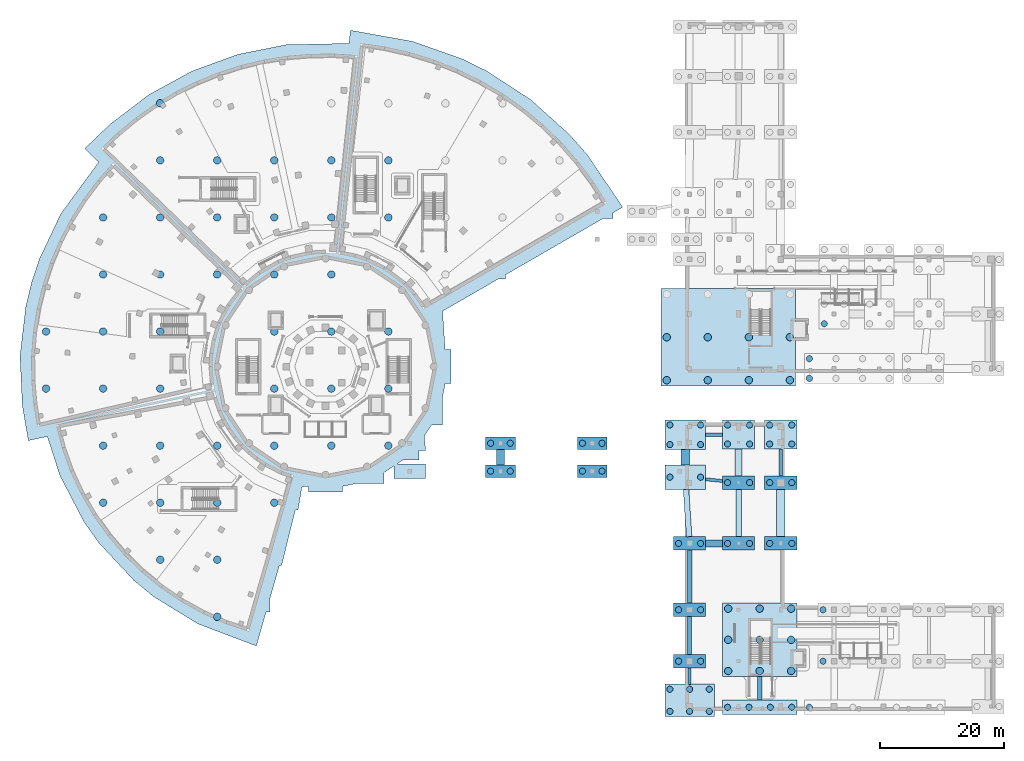
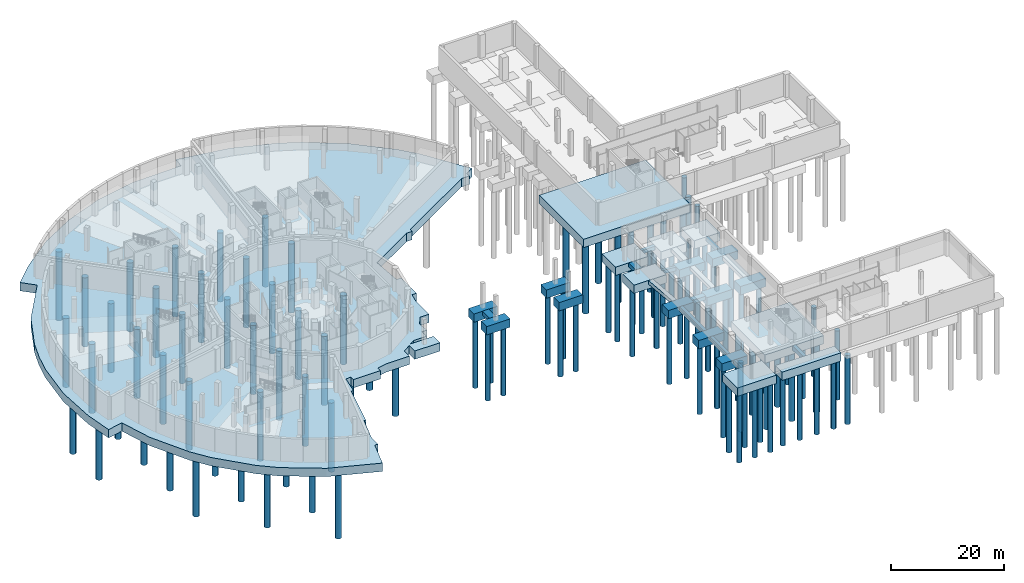
# One storey, part 1 of 33: 111 piles, 34 footings.
"""IFC4 building model written with IfcOpenShell, lengths in metres."""

from ifc_helpers import new_model, si_unit, direction, frame, origin, origin_2d, place, context, subcontext, project, spatial, polyline, rectangle, circle, outline, extrude, material, material_profile, profile_set, type_object, element, save


model = new_model("IFC4")

# Units and contexts
model_context = context("Model", 3, precision=1e-05, world=origin(), true_north=direction((0.0, 1.0)))
body_context = subcontext(model_context, "Body", "Model", "MODEL_VIEW")
ifc_project = project(units=[si_unit("LENGTHUNIT", "METRE"), si_unit("AREAUNIT", "SQUARE_METRE"), si_unit("VOLUMEUNIT", "CUBIC_METRE"), si_unit("PLANEANGLEUNIT", "RADIAN"), si_unit("MASSUNIT", "GRAM", prefix="KILO")], contexts=[model_context])

# Site, building, storey
site_placement = place(None, origin())
site = spatial("IfcSite", under=ifc_project, at=site_placement, CompositionType="ELEMENT")
building_placement = place(site_placement, origin())
building = spatial("IfcBuilding", under=site, at=building_placement, Name="Soyqirgoq Riverine Aquarium", CompositionType="ELEMENT")
storey_placement = place(building_placement, frame((0.0, 0.0, -5.39990234375)))
storey = spatial("IfcBuildingStorey", under=building, at=storey_placement, Name="B01", CompositionType="ELEMENT", Elevation=-5.39990234375)

# Piles
ifc_material_1 = material(Name="Concrete C35/45", Category="concrete")
ifc_material_profile_1 = material_profile(ifc_material_1, circle(Radius=0.5, at=origin_2d()), Name="BP D1000")
ifc_profile_set_1 = profile_set([ifc_material_profile_1], Name="Concrete C35/45")
pile_type_1 = type_object("IfcPileType", Name="BoredPile_1000_C35", PredefinedType="BORED", material=ifc_profile_set_1)
for number, where, z_axis, x_axis, name in (
    (1, (111.52001953125, 1.419921875, -1.7001953125), (0.0, 0.0, -1.0), (1.0, 0.0, 0.0), "Bored Pile 0056"),
    (2, (111.52001953125, 4.97998046875, -1.7001953125), (0.0, 0.0, -1.0), (1.0, 0.0, 0.0), "Bored Pile 0057"),
    (3, (114.699951171875, 1.419921875, -1.7001953125), (0.0, 0.0, -1.0), (1.0, 0.0, 0.0), "Bored Pile 0058"),
    (4, (114.699951171875, 4.97998046875, -1.7001953125), (0.0, 0.0, -1.0), (1.0, 0.0, 0.0), "Bored Pile 0059"),
    (5, (117.8798828125, 1.419921875, -1.7001953125), (0.0, 0.0, -1.0), (1.0, 0.0, 0.0), "Bored Pile 0060"),
    (6, (117.8798828125, 4.97998046875, -1.7001953125), (0.0, 0.0, -1.0), (1.0, 0.0, 0.0), "Bored Pile 0061"),
    (7, (112.919921875, 9.5, -1.7001953125), (0.0, 0.0, -1.0), (1.0, 0.0, 0.0), "Bored Pile 0062"),
    (8, (116.47998046875, 9.5, -1.7001953125), (0.0, 0.0, -1.0), (1.0, 0.0, 0.0), "Bored Pile 0063"),
    (9, (112.919921875, 17.800048828125, -1.7001953125), (0.0, 0.0, -1.0), (1.0, 0.0, 0.0), "Bored Pile 0064"),
    (10, (116.47998046875, 17.800048828125, -1.7001953125), (0.0, 0.0, -1.0), (1.0, 0.0, 0.0), "Bored Pile 0065"),
    (11, (112.919921875, 28.5, -1.7001953125), (0.0, 0.0, -1.0), (1.0, 0.0, 0.0), "Bored Pile 0066"),
    (12, (116.47998046875, 28.5, -1.7001953125), (0.0, 0.0, -1.0), (1.0, 0.0, 0.0), "Bored Pile 0067"),
    (13, (111.52001953125, 39.175048828125, -1.7001953125), (0.0, 0.0, -1.0), (1.0, 0.0, 0.0), "Bored Pile 0068"),
    (14, (116.47998046875, 39.175048828125, -1.7001953125), (0.0, 0.0, -1.0), (1.0, 0.0, 0.0), "Bored Pile 0069"),
    (15, (111.52001953125, 44.445068359375, -1.7001953125), (0.0, 0.0, -1.0), (1.0, 0.0, 0.0), "Bored Pile 0070"),
    (16, (111.52001953125, 47.60498046875, -1.7001953125), (0.0, 0.0, -1.0), (1.0, 0.0, 0.0), "Bored Pile 0071"),
    (17, (116.47998046875, 44.445068359375, -1.7001953125), (0.0, 0.0, -1.0), (1.0, 0.0, 0.0), "Bored Pile 0072"),
    (18, (116.47998046875, 47.60498046875, -1.7001953125), (0.0, 0.0, -1.0), (1.0, 0.0, 0.0), "Bored Pile 0073"),
    (19, (120.820068359375, 2.074951171875, -1.7001953125), (0.0, 0.0, -1.0), (1.0, 0.0, 0.0), "Bored Pile 0074"),
    (20, (124.273193359375, 2.074951171875, -1.7001953125), (0.0, 0.0, -1.0), (1.0, 0.0, 0.0), "Bored Pile 0075"),
    (21, (127.726806640625, 2.074951171875, -1.7001953125), (0.0, 0.0, -1.0), (1.0, 0.0, 0.0), "Bored Pile 0076"),
    (22, (131.179931640625, 2.074951171875, -1.7001953125), (0.0, 0.0, -1.0), (1.0, 0.0, 0.0), "Bored Pile 0077"),
    (23, (120.820068359375, 28.5, -1.7001953125), (0.0, 0.0, -1.0), (1.0, 0.0, 0.0), "Bored Pile 0087"),
    (24, (124.3798828125, 28.5, -1.7001953125), (0.0, 0.0, -1.0), (1.0, 0.0, 0.0), "Bored Pile 0088"),
    (25, (120.820068359375, 38.300048828125, -1.7001953125), (0.0, 0.0, -1.0), (1.0, 0.0, 0.0), "Bored Pile 0089"),
    (26, (124.3798828125, 38.300048828125, -1.7001953125), (0.0, 0.0, -1.0), (1.0, 0.0, 0.0), "Bored Pile 0090"),
    (27, (120.820068359375, 44.52001953125, -1.7001953125), (0.0, 0.0, -1.0), (1.0, 0.0, 0.0), "Bored Pile 0091"),
    (28, (120.820068359375, 47.580078125, -1.7001953125), (0.0, 0.0, -1.0), (1.0, 0.0, 0.0), "Bored Pile 0092"),
    (29, (124.3798828125, 44.52001953125, -1.7001953125), (0.0, 0.0, -1.0), (1.0, 0.0, 0.0), "Bored Pile 0093"),
    (30, (124.3798828125, 47.580078125, -1.7001953125), (0.0, 0.0, -1.0), (1.0, 0.0, 0.0), "Bored Pile 0094"),
    (31, (127.6201171875, 28.5, -1.7001953125), (0.0, 0.0, -1.0), (1.0, 0.0, 0.0), "Bored Pile 0095"),
    (32, (131.179931640625, 28.5, -1.7001953125), (0.0, 0.0, -1.0), (1.0, 0.0, 0.0), "Bored Pile 0096"),
    (33, (127.6201171875, 38.300048828125, -1.7001953125), (0.0, 0.0, -1.0), (1.0, 0.0, 0.0), "Bored Pile 0097"),
    (34, (131.179931640625, 38.300048828125, -1.7001953125), (0.0, 0.0, -1.0), (1.0, 0.0, 0.0), "Bored Pile 0098"),
    (35, (127.6201171875, 44.52001953125, -1.7001953125), (0.0, 0.0, -1.0), (1.0, 0.0, 0.0), "Bored Pile 0099"),
    (36, (127.6201171875, 47.580078125, -1.7001953125), (0.0, 0.0, -1.0), (1.0, 0.0, 0.0), "Bored Pile 0100"),
    (37, (131.179931640625, 44.52001953125, -1.7001953125), (0.0, 0.0, -1.0), (1.0, 0.0, 0.0), "Bored Pile 0101"),
    (38, (131.179931640625, 47.580078125, -1.7001953125), (0.0, 0.0, -1.0), (1.0, 0.0, 0.0), "Bored Pile 0102"),
    (39, (134.02001953125, 2.074951171875, -1.7001953125), (0.0, 0.0, -1.0), (1.0, 0.0, 0.0), "Bored Pile 0103"),
    (40, (136.219970703125, 9.5, -1.7001953125), (0.0, 0.0, -1.0), (1.0, 0.0, 0.0), "Bored Pile 0107"),
    (41, (136.219970703125, 17.800048828125, -1.7001953125), (0.0, 0.0, -1.0), (1.0, 0.0, 0.0), "Bored Pile 0109"),
    (42, (134.02001953125, 55.1201171875, -1.7001953125), (0.0, 0.0, -1.0), (1.0, 0.0, 0.0), "Bored Pile 0177"),
    (43, (134.02001953125, 58.280029296875, -1.7001953125), (0.0, 0.0, -1.0), (1.0, 0.0, 0.0), "Bored Pile 0178"),
    (44, (136.419921875, 63.919921875, -1.7001953125), (0.0, 0.0, -1.0), (1.0, 0.0, 0.0), "Bored Pile 0185"),
    (45, (82.6201171875, 40.14990234375, -1.7001953125), (0.0, 0.0, -1.0), (1.0, 0.0, 0.0), "Bored Pile 0219"),
    (46, (85.780029296875, 40.14990234375, -1.7001953125), (0.0, 0.0, -1.0), (1.0, 0.0, 0.0), "Bored Pile 0220"),
    (47, (82.6201171875, 44.64990234375, -1.7001953125), (0.0, 0.0, -1.0), (1.0, 0.0, 0.0), "Bored Pile 0221"),
    (48, (85.780029296875, 44.64990234375, -1.7001953125), (0.0, 0.0, -1.0), (1.0, 0.0, 0.0), "Bored Pile 0222"),
    (49, (97.419921875, 40.14990234375, -1.7001953125), (0.0, 0.0, -1.0), (1.0, 0.0, 0.0), "Bored Pile 0223"),
    (50, (100.580078125, 40.14990234375, -1.7001953125), (0.0, 0.0, -1.0), (1.0, 0.0, 0.0), "Bored Pile 0224"),
    (51, (97.419921875, 44.64990234375, -1.7001953125), (0.0, 0.0, -1.0), (1.0, 0.0, 0.0), "Bored Pile 0225"),
    (52, (100.580078125, 44.64990234375, -1.7001953125), (0.0, 0.0, -1.0), (1.0, 0.0, 0.0), "Bored Pile 0226"),
):
    element("IfcPile", number, at=place(storey_placement, frame(where, z_axis=z_axis, x_axis=x_axis)), inside=storey, type_object=pile_type_1, Name=name, PredefinedType="BORED", context=body_context, shape_type="SweptSolid", body=[
        extrude(circle(Radius=0.5, at=origin_2d()), origin(), (0.0, 0.0, 1.0), 14.89990234375),
    ])
ifc_material_2 = material(Name="Concrete C35/45", Category="concrete")
ifc_material_profile_2 = material_profile(ifc_material_2, circle(Radius=0.60009765625, at=origin_2d()), Name="BP D1200")
ifc_profile_set_2 = profile_set([ifc_material_profile_2], Name="Concrete C35/45")
pile_type_2 = type_object("IfcPileType", Name="BoredPile_1200_C35", PredefinedType="BORED", material=ifc_profile_set_2)
for number, where, z_axis, x_axis, name in (
    (53, (10.928955078125, 53.458984375, -1.7001953125), (0.0, 0.0, -1.0), (1.0, 0.0, 0.0), "Bored Pile 0001"),
    (54, (10.928955078125, 62.658935546875, -1.7001953125), (0.0, 0.0, -1.0), (1.0, 0.0, 0.0), "Bored Pile 0002"),
    (55, (20.12890625, 35.05908203125, -1.7001953125), (0.0, 0.0, -1.0), (1.0, 0.0, 0.0), "Bored Pile 0003"),
    (56, (20.12890625, 44.259033203125, -1.7001953125), (0.0, 0.0, -1.0), (1.0, 0.0, 0.0), "Bored Pile 0004"),
    (57, (20.12890625, 53.458984375, -1.7001953125), (0.0, 0.0, -1.0), (1.0, 0.0, 0.0), "Bored Pile 0005"),
    (58, (20.12890625, 62.658935546875, -1.7001953125), (0.0, 0.0, -1.0), (1.0, 0.0, 0.0), "Bored Pile 0006"),
    (59, (20.12890625, 71.85888671875, -1.7001953125), (0.0, 0.0, -1.0), (1.0, 0.0, 0.0), "Bored Pile 0007"),
    (60, (20.12890625, 81.05908203125, -1.7001953125), (0.0, 0.0, -1.0), (1.0, 0.0, 0.0), "Bored Pile 0008"),
    (61, (29.328857421875, 25.85888671875, -1.7001953125), (0.0, 0.0, -1.0), (1.0, 0.0, 0.0), "Bored Pile 0009"),
    (62, (29.328857421875, 35.05908203125, -1.7001953125), (0.0, 0.0, -1.0), (1.0, 0.0, 0.0), "Bored Pile 0010"),
    (63, (29.328857421875, 44.259033203125, -1.7001953125), (0.0, 0.0, -1.0), (1.0, 0.0, 0.0), "Bored Pile 0011"),
    (64, (29.328857421875, 53.458984375, -1.7001953125), (0.0, 0.0, -1.0), (1.0, 0.0, 0.0), "Bored Pile 0012"),
    (65, (29.328857421875, 62.658935546875, -1.7001953125), (0.0, 0.0, -1.0), (1.0, 0.0, 0.0), "Bored Pile 0013"),
    (66, (29.328857421875, 71.85888671875, -1.7001953125), (0.0, 0.0, -1.0), (1.0, 0.0, 0.0), "Bored Pile 0014"),
    (67, (29.328857421875, 81.05908203125, -1.7001953125), (0.0, 0.0, -1.0), (1.0, 0.0, 0.0), "Bored Pile 0015"),
    (68, (29.328857421875, 90.259033203125, -1.7001953125), (0.0, 0.0, -1.0), (1.0, 0.0, 0.0), "Bored Pile 0016"),
    (69, (29.328857421875, 99.458984375, -1.7001953125), (0.0, 0.0, -1.0), (1.0, 0.0, 0.0), "Bored Pile 0017"),
    (70, (38.52880859375, 16.658935546875, -1.7001953125), (0.0, 0.0, -1.0), (1.0, 0.0, 0.0), "Bored Pile 0018"),
    (71, (38.52880859375, 25.85888671875, -1.7001953125), (0.0, 0.0, -1.0), (1.0, 0.0, 0.0), "Bored Pile 0019"),
    (72, (38.52880859375, 35.05908203125, -1.7001953125), (0.0, 0.0, -1.0), (1.0, 0.0, 0.0), "Bored Pile 0020"),
    (73, (38.52880859375, 44.259033203125, -1.7001953125), (0.0, 0.0, -1.0), (1.0, 0.0, 0.0), "Bored Pile 0021"),
    (74, (38.52880859375, 71.85888671875, -1.7001953125), (0.0, 0.0, -1.0), (1.0, 0.0, 0.0), "Bored Pile 0022"),
    (75, (38.52880859375, 81.05908203125, -1.7001953125), (0.0, 0.0, -1.0), (1.0, 0.0, 0.0), "Bored Pile 0023"),
    (76, (38.52880859375, 90.259033203125, -1.7001953125), (0.0, 0.0, -1.0), (1.0, 0.0, 0.0), "Bored Pile 0024"),
    (77, (47.72900390625, 35.05908203125, -1.7001953125), (0.0, 0.0, -1.0), (1.0, 0.0, 0.0), "Bored Pile 0026"),
    (78, (47.72900390625, 44.259033203125, -1.7001953125), (0.0, 0.0, -1.0), (1.0, 0.0, 0.0), "Bored Pile 0027"),
    (79, (47.72900390625, 53.458984375, -1.7001953125), (0.0, 0.0, -1.0), (1.0, 0.0, 0.0), "Bored Pile 0028"),
    (80, (47.72900390625, 62.658935546875, -1.7001953125), (0.0, 0.0, -1.0), (1.0, 0.0, 0.0), "Bored Pile 0029"),
    (81, (47.72900390625, 71.85888671875, -1.7001953125), (0.0, 0.0, -1.0), (1.0, 0.0, 0.0), "Bored Pile 0030"),
    (82, (47.72900390625, 81.05908203125, -1.7001953125), (0.0, 0.0, -1.0), (1.0, 0.0, 0.0), "Bored Pile 0031"),
    (83, (47.72900390625, 90.259033203125, -1.7001953125), (0.0, 0.0, -1.0), (1.0, 0.0, 0.0), "Bored Pile 0032"),
    (84, (56.928955078125, 44.259033203125, -1.7001953125), (0.0, 0.0, -1.0), (1.0, 0.0, 0.0), "Bored Pile 0034"),
    (85, (56.928955078125, 53.458984375, -1.7001953125), (0.0, 0.0, -1.0), (1.0, 0.0, 0.0), "Bored Pile 0035"),
    (86, (56.928955078125, 62.658935546875, -1.7001953125), (0.0, 0.0, -1.0), (1.0, 0.0, 0.0), "Bored Pile 0036"),
    (87, (56.928955078125, 71.85888671875, -1.7001953125), (0.0, 0.0, -1.0), (1.0, 0.0, 0.0), "Bored Pile 0037"),
    (88, (56.928955078125, 81.05908203125, -1.7001953125), (0.0, 0.0, -1.0), (1.0, 0.0, 0.0), "Bored Pile 0038"),
    (89, (56.928955078125, 90.259033203125, -1.7001953125), (0.0, 0.0, -1.0), (1.0, 0.0, 0.0), "Bored Pile 0039"),
    (90, (66.12890625, 44.259033203125, -1.7001953125), (0.0, 0.0, -1.0), (1.0, 0.0, 0.0), "Bored Pile 0041"),
    (91, (66.12890625, 53.458984375, -1.7001953125), (0.0, 0.0, -1.0), (1.0, 0.0, 0.0), "Bored Pile 0042"),
    (92, (66.12890625, 62.658935546875, -1.7001953125), (0.0, 0.0, -1.0), (1.0, 0.0, 0.0), "Bored Pile 0043"),
    (93, (66.12890625, 81.05908203125, -1.7001953125), (0.0, 0.0, -1.0), (1.0, 0.0, 0.0), "Bored Pile 0044"),
    (94, (66.12890625, 90.259033203125, -1.7001953125), (0.0, 0.0, -1.0), (1.0, 0.0, 0.0), "Bored Pile 0045"),
    (95, (120.919921875, 7.919921875, -1.7001953125), (0.0, 0.0, -1.0), (1.0, 0.0, 0.0), "Bored Pile 0078"),
    (96, (120.919921875, 12.949951171875, -1.7001953125), (0.0, 0.0, -1.0), (1.0, 0.0, 0.0), "Bored Pile 0079"),
    (97, (120.919921875, 17.97998046875, -1.7001953125), (0.0, 0.0, -1.0), (1.0, 0.0, 0.0), "Bored Pile 0080"),
    (98, (126.0, 7.919921875, -1.7001953125), (0.0, 0.0, -1.0), (1.0, 0.0, 0.0), "Bored Pile 0081"),
    (99, (126.0, 12.949951171875, -1.7001953125), (0.0, 0.0, -1.0), (1.0, 0.0, 0.0), "Bored Pile 0082"),
    (100, (126.0, 17.97998046875, -1.7001953125), (0.0, 0.0, -1.0), (1.0, 0.0, 0.0), "Bored Pile 0083"),
    (101, (131.080078125, 7.919921875, -1.7001953125), (0.0, 0.0, -1.0), (1.0, 0.0, 0.0), "Bored Pile 0084"),
    (102, (131.080078125, 12.949951171875, -1.7001953125), (0.0, 0.0, -1.0), (1.0, 0.0, 0.0), "Bored Pile 0085"),
    (103, (131.080078125, 17.97998046875, -1.7001953125), (0.0, 0.0, -1.0), (1.0, 0.0, 0.0), "Bored Pile 0086"),
    (104, (111.02001953125, 54.820068359375, -1.7001953125), (0.0, 0.0, -1.0), (1.0, 0.0, 0.0), "Bored Pile 0125"),
    (105, (111.02001953125, 61.75, -1.7001953125), (0.0, 0.0, -1.0), (1.0, 0.0, 0.0), "Bored Pile 0126"),
    (106, (117.639892578125, 54.820068359375, -1.7001953125), (0.0, 0.0, -1.0), (1.0, 0.0, 0.0), "Bored Pile 0128"),
    (107, (117.639892578125, 61.75, -1.7001953125), (0.0, 0.0, -1.0), (1.0, 0.0, 0.0), "Bored Pile 0129"),
    (108, (124.260009765625, 54.820068359375, -1.7001953125), (0.0, 0.0, -1.0), (1.0, 0.0, 0.0), "Bored Pile 0131"),
    (109, (124.260009765625, 61.75, -1.7001953125), (0.0, 0.0, -1.0), (1.0, 0.0, 0.0), "Bored Pile 0132"),
    (110, (130.8798828125, 54.820068359375, -1.7001953125), (0.0, 0.0, -1.0), (1.0, 0.0, 0.0), "Bored Pile 0134"),
    (111, (130.8798828125, 61.75, -1.7001953125), (0.0, 0.0, -1.0), (1.0, 0.0, 0.0), "Bored Pile 0135"),
):
    element("IfcPile", number, at=place(storey_placement, frame(where, z_axis=z_axis, x_axis=x_axis)), inside=storey, type_object=pile_type_2, Name=name, PredefinedType="BORED", context=body_context, shape_type="SweptSolid", body=[
        extrude(circle(Radius=0.60009765625, at=origin_2d()), origin(), (0.0, 0.0, 1.0), 14.89990234375),
    ])

# Footings
ifc_material_3 = material(Name="Concrete C35/45", Category="concrete")
ifc_material_profile_3 = material_profile(ifc_material_3, rectangle(XDim=0.5, YDim=0.800048828125, at=origin_2d()), Name="RC 500x800")
ifc_profile_set_3 = profile_set([ifc_material_profile_3], Name="Concrete C35/45")
footing_type_1 = type_object("IfcFootingType", Name="GroundBeam_500x800", PredefinedType="FOOTING_BEAM", material=ifc_profile_set_3)
footing_1_placement = place(storey_placement, frame((114.699951171875, 5.780029296875, -0.400146484375), z_axis=(0.0, 1.0, 0.0), x_axis=(-1.0, 0.0, 0.0)))
element("IfcFooting", 112, at=footing_1_placement, inside=storey, type_object=footing_type_1, Name="Foundation Tie Beam 001", PredefinedType="FOOTING_BEAM", context=body_context, shape_type="SweptSolid", body=[
    extrude(rectangle(XDim=0.5, YDim=0.800048828125, at=origin_2d()), origin(), (0.0, 0.0, 1.0), 2.639892578125),
])
footing_2_placement = place(storey_placement, frame((117.280029296875, 38.84130859375, -0.400146484375), z_axis=(0.99486278638, -0.101232585053, 0.0), x_axis=(0.101232585053, 0.99486278638, 0.0)))
element("IfcFooting", 113, at=footing_2_placement, inside=storey, type_object=footing_type_1, Name="Foundation Tie Beam 007", PredefinedType="FOOTING_BEAM", context=body_context, shape_type="SweptSolid", body=[
    extrude(rectangle(XDim=0.5, YDim=0.800048828125, at=origin_2d()), origin(), (0.0, 0.0, 1.0), 2.754150390625),
])
footing_3_placement = place(storey_placement, frame((129.39990234375, 39.3798828125, -0.400146484375), z_axis=(0.0, 1.0, 0.0), x_axis=(-1.0, 0.0, 0.0)))
element("IfcFooting", 114, at=footing_3_placement, inside=storey, type_object=footing_type_1, Name="Foundation Tie Beam 013", PredefinedType="FOOTING_BEAM", context=body_context, shape_type="SweptSolid", body=[
    extrude(rectangle(XDim=0.5, YDim=0.800048828125, at=origin_2d()), origin(), (0.0, 0.0, 1.0), 4.340087890625),
])
ifc_material_4 = material(Name="Concrete C35/45", Category="concrete")
ifc_material_profile_4 = material_profile(ifc_material_4, rectangle(XDim=0.60009765625, YDim=0.800048828125, at=origin_2d()), Name="RC 600x800")
ifc_profile_set_4 = profile_set([ifc_material_profile_4], Name="Concrete C35/45")
footing_type_2 = type_object("IfcFootingType", Name="GroundBeam_600x800", PredefinedType="FOOTING_BEAM", material=ifc_profile_set_4)
footing_4_placement = place(storey_placement, frame((114.699951171875, 10.580078125, -0.400146484375), z_axis=(0.0, 1.0, 0.0), x_axis=(-1.0, 0.0, 0.0)))
element("IfcFooting", 115, at=footing_4_placement, inside=storey, type_object=footing_type_2, Name="Foundation Tie Beam 002", PredefinedType="FOOTING_BEAM", context=body_context, shape_type="SweptSolid", body=[
    extrude(rectangle(XDim=0.60009765625, YDim=0.800048828125, at=origin_2d()), origin(), (0.0, 0.0, 1.0), 6.139892578125),
])
footing_5_placement = place(storey_placement, frame((117.280029296875, 46.034423828125, -0.400146484375), z_axis=(0.999995677081, 0.002940377559, 0.0), x_axis=(-0.002940377559, 0.999995677081, 0.0)))
element("IfcFooting", 116, at=footing_5_placement, inside=storey, type_object=footing_type_2, Name="Foundation Tie Beam 008", PredefinedType="FOOTING_BEAM", context=body_context, shape_type="SweptSolid", body=[
    extrude(rectangle(XDim=0.60009765625, YDim=0.800048828125, at=origin_2d()), origin(), (0.0, 0.0, 1.0), 2.739990234375),
])
ifc_material_5 = material(Name="Concrete C35/45", Category="concrete")
ifc_material_profile_5 = material_profile(ifc_material_5, rectangle(XDim=0.699951171875, YDim=0.89990234375, at=origin_2d()), Name="RC 700x900")
ifc_profile_set_5 = profile_set([ifc_material_profile_5], Name="Concrete C35/45")
footing_type_3 = type_object("IfcFootingType", Name="GroundBeam_700x900", PredefinedType="FOOTING_BEAM", material=ifc_profile_set_5)
footing_6_placement = place(storey_placement, frame((114.699951171875, 18.8798828125, -0.4501953125), z_axis=(0.0, 1.0, 0.0), x_axis=(-1.0, 0.0, 0.0)))
element("IfcFooting", 117, at=footing_6_placement, inside=storey, type_object=footing_type_3, Name="Foundation Tie Beam 003", PredefinedType="FOOTING_BEAM", context=body_context, shape_type="SweptSolid", body=[
    extrude(rectangle(XDim=0.699951171875, YDim=0.89990234375, at=origin_2d()), origin(), (0.0, 0.0, 1.0), 8.5400390625),
])
footing_7_placement = place(storey_placement, frame((126.0, 3.2548828125, -0.4501953125), z_axis=(0.0, 1.0, 0.0), x_axis=(-1.0, 0.0, 0.0)))
element("IfcFooting", 118, at=footing_7_placement, inside=storey, type_object=footing_type_3, Name="Foundation Tie Beam 009", PredefinedType="FOOTING_BEAM", context=body_context, shape_type="SweptSolid", body=[
    extrude(rectangle(XDim=0.699951171875, YDim=0.89990234375, at=origin_2d()), origin(), (0.0, 0.0, 1.0), 3.76513671875),
])
ifc_material_6 = material(Name="Concrete C35/45", Category="concrete")
footing_type_4 = type_object("IfcFootingType", Name="PileCap_2P_4800x2000", PredefinedType="PILE_CAP", material=ifc_material_6)
for number, where, z_axis, x_axis, name in (
    (119, (84.199951171875, 40.14990234375, -1.80029296875), (0.0, 0.0, 1.0), (1.0, 0.0, 0.0), "Pile Cap 052"),
    (120, (84.199951171875, 44.64990234375, -1.80029296875), (0.0, 0.0, 1.0), (1.0, 0.0, 0.0), "Pile Cap 053"),
    (121, (99.0, 40.14990234375, -1.80029296875), (0.0, 0.0, 1.0), (1.0, 0.0, 0.0), "Pile Cap 054"),
    (122, (99.0, 44.64990234375, -1.80029296875), (0.0, 0.0, 1.0), (1.0, 0.0, 0.0), "Pile Cap 055"),
):
    element("IfcFooting", number, at=place(storey_placement, frame(where, z_axis=z_axis, x_axis=x_axis)), inside=storey, type_object=footing_type_4, Name=name, PredefinedType="PILE_CAP", context=body_context, shape_type="SweptSolid", body=[
        extrude(rectangle(XDim=4.800048828125, YDim=2.0, at=origin_2d()), origin(), (0.0, 0.0, 1.0), 1.800048828125),
    ])
ifc_material_7 = material(Name="Concrete C35/45", Category="concrete")
footing_type_5 = type_object("IfcFootingType", Name="PileCap_2P_5200x2200", PredefinedType="PILE_CAP", material=ifc_material_7)
for number, where, z_axis, x_axis, name in (
    (123, (114.699951171875, 9.5, -1.80029296875), (0.0, 0.0, 1.0), (1.0, 0.0, 0.0), "Pile Cap 002"),
    (124, (114.699951171875, 17.800048828125, -1.80029296875), (0.0, 0.0, 1.0), (1.0, 0.0, 0.0), "Pile Cap 003"),
    (125, (114.699951171875, 28.5, -1.80029296875), (0.0, 0.0, 1.0), (1.0, 0.0, 0.0), "Pile Cap 004"),
    (126, (122.60009765625, 28.5, -1.80029296875), (0.0, 0.0, 1.0), (1.0, 0.0, 0.0), "Pile Cap 009"),
    (127, (122.60009765625, 38.300048828125, -1.80029296875), (0.0, 0.0, 1.0), (1.0, 0.0, 0.0), "Pile Cap 010"),
    (128, (129.39990234375, 28.5, -1.80029296875), (0.0, 0.0, 1.0), (1.0, 0.0, 0.0), "Pile Cap 012"),
    (129, (129.39990234375, 38.300048828125, -1.80029296875), (0.0, 0.0, 1.0), (1.0, 0.0, 0.0), "Pile Cap 013"),
):
    element("IfcFooting", number, at=place(storey_placement, frame(where, z_axis=z_axis, x_axis=x_axis)), inside=storey, type_object=footing_type_5, Name=name, PredefinedType="PILE_CAP", context=body_context, shape_type="SweptSolid", body=[
        extrude(rectangle(XDim=5.199951171875, YDim=2.199951171875, at=origin_2d()), origin(), (0.0, 0.0, 1.0), 1.800048828125),
    ])
ifc_material_8 = material(Name="Concrete C35/45", Category="concrete")
footing_type_6 = type_object("IfcFootingType", Name="PileCap_6P_8000x5200", PredefinedType="PILE_CAP", material=ifc_material_8)
footing_8_placement = place(storey_placement, frame((114.699951171875, 3.199951171875, -1.80029296875), z_axis=(0.0, 0.0, 1.0), x_axis=(1.0, 0.0, 0.0)))
element("IfcFooting", 130, at=footing_8_placement, inside=storey, type_object=footing_type_6, Name="Pile Cap 001", PredefinedType="PILE_CAP", context=body_context, shape_type="SweptSolid", body=[
    extrude(rectangle(XDim=8.0, YDim=5.199951171875, at=origin_2d()), origin(), (0.0, 0.0, 1.0), 1.800048828125),
])
ifc_material_9 = material(Name="Concrete C35/45", Category="concrete")
footing_type_7 = type_object("IfcFootingType", Name="PileCap_Comb_12000x11900", PredefinedType="PILE_CAP", material=ifc_material_9)
footing_9_placement = place(storey_placement, frame((126.0, 12.949951171875, -1.80029296875), z_axis=(0.0, 0.0, 1.0), x_axis=(1.0, 0.0, 0.0)))
element("IfcFooting", 131, at=footing_9_placement, inside=storey, type_object=footing_type_7, Name="Pile Cap 008", PredefinedType="PILE_CAP", context=body_context, shape_type="SweptSolid", body=[
    extrude(rectangle(XDim=12.0, YDim=11.89990234375, at=origin_2d()), origin(), (0.0, 0.0, 1.0), 1.800048828125),
])
ifc_material_10 = material(Name="Concrete C35/45", Category="concrete")
footing_type_8 = type_object("IfcFootingType", Name="PileCap_Comb_12000x2400", PredefinedType="PILE_CAP", material=ifc_material_10)
footing_10_placement = place(storey_placement, frame((126.0, 2.074951171875, -1.80029296875), z_axis=(0.0, 0.0, 1.0), x_axis=(1.0, 0.0, 0.0)))
element("IfcFooting", 132, at=footing_10_placement, inside=storey, type_object=footing_type_8, Name="Pile Cap 007", PredefinedType="PILE_CAP", context=body_context, shape_type="SweptSolid", body=[
    extrude(rectangle(XDim=12.0, YDim=2.39990234375, at=origin_2d()), origin(), (0.0, 0.0, 1.0), 1.800048828125),
])
ifc_material_11 = material(Name="Concrete C35/45", Category="concrete")
footing_type_9 = type_object("IfcFootingType", Name="PileCap_Comb_21700x15700", PredefinedType="PILE_CAP", material=ifc_material_11)
footing_11_placement = place(storey_placement, frame((120.949951171875, 61.75, -1.80029296875), z_axis=(0.0, 0.0, 1.0), x_axis=(1.0, 0.0, 0.0)))
element("IfcFooting", 133, at=footing_11_placement, inside=storey, type_object=footing_type_9, Name="Pile Cap 025", PredefinedType="PILE_CAP", context=body_context, shape_type="SweptSolid", body=[
    extrude(rectangle(XDim=21.699951171875, YDim=15.699951171875, at=origin_2d()), origin(), (0.0, 0.0, 1.0), 1.800048828125),
])
ifc_material_12 = material(Name="Concrete C35/45", Category="concrete")
footing_type_10 = type_object("IfcFootingType", Name="PileCap_Comb_5200x4700", PredefinedType="PILE_CAP", material=ifc_material_12)
for number, where, z_axis, x_axis, name in (
    (134, (122.60009765625, 46.050048828125, -1.80029296875), (0.0, 0.0, 1.0), (1.0, 0.0, 0.0), "Pile Cap 011"),
    (135, (129.39990234375, 46.050048828125, -1.80029296875), (0.0, 0.0, 1.0), (1.0, 0.0, 0.0), "Pile Cap 014"),
):
    element("IfcFooting", number, at=place(storey_placement, frame(where, z_axis=z_axis, x_axis=x_axis)), inside=storey, type_object=footing_type_10, Name=name, PredefinedType="PILE_CAP", context=body_context, shape_type="SweptSolid", body=[
        extrude(rectangle(XDim=5.199951171875, YDim=4.699951171875, at=origin_2d()), origin(), (0.0, 0.0, 1.0), 1.800048828125),
    ])
ifc_material_13 = material(Name="Concrete C35/45", Category="concrete")
footing_type_11 = type_object("IfcFootingType", Name="PileCap_Comb_6600x4000", PredefinedType="PILE_CAP", material=ifc_material_13)
footing_12_placement = place(storey_placement, frame((114.0, 39.175048828125, -1.80029296875), z_axis=(0.0, 0.0, 1.0), x_axis=(1.0, 0.0, 0.0)))
element("IfcFooting", 136, at=footing_12_placement, inside=storey, type_object=footing_type_11, Name="Pile Cap 005", PredefinedType="PILE_CAP", context=body_context, shape_type="SweptSolid", body=[
    extrude(rectangle(XDim=6.60009765625, YDim=4.0, at=origin_2d()), origin(), (0.0, 0.0, 1.0), 1.800048828125),
])
ifc_material_14 = material(Name="Concrete C35/45", Category="concrete")
footing_type_12 = type_object("IfcFootingType", Name="PileCap_Comb_6600x4800", PredefinedType="PILE_CAP", material=ifc_material_14)
footing_13_placement = place(storey_placement, frame((114.0, 46.02490234375, -1.80029296875), z_axis=(0.0, 0.0, 1.0), x_axis=(1.0, 0.0, 0.0)))
element("IfcFooting", 137, at=footing_13_placement, inside=storey, type_object=footing_type_12, Name="Pile Cap 006", PredefinedType="PILE_CAP", context=body_context, shape_type="SweptSolid", body=[
    extrude(rectangle(XDim=6.60009765625, YDim=4.800048828125, at=origin_2d()), origin(), (0.0, 0.0, 1.0), 1.800048828125),
])
ifc_material_15 = material(Name="Concrete C35/45", Category="concrete")
footing_type_13 = type_object("IfcFootingType", Name="PileCap_Mat_West_1800", PredefinedType="PILE_CAP", material=ifc_material_15)
footing_14_placement = place(storey_placement, frame((0.0, 0.0, -1.800048828125)))
element("IfcFooting", 138, at=footing_14_placement, inside=storey, type_object=footing_type_13, Name="West Spiral Piled Mat Foundation", PredefinedType="PILE_CAP", context=body_context, shape_type="SweptSolid", body=[
    extrude(outline(polyline([(46.41259765625, 17.43359375), (47.078369140625, 17.43359375), (47.078369140625, 19.755126953125), (48.556640625, 24.910888671875), (48.9052734375, 24.910888671875), (51.120849609375, 33.85302734375), (51.55078125, 33.85302734375), (52.1982421875, 37.610595703125), (53.25, 37.7119140625), (53.25, 36.800048828125), (58.75, 36.800048828125), (58.75, 37.7119140625), (60.843994140625, 38.12841796875), (65.427734375, 38.12841796875), (65.427734375, 39.902099609375), (67.050048828125, 40.986083984375), (67.050048828125, 39.0), (72.14990234375, 39.0), (72.14990234375, 41.300048828125), (67.519775390625, 41.300048828125), (68.43408203125, 41.910888671875), (71.089111328125, 41.910888671875), (71.089111328125, 43.5), (72.14990234375, 43.5), (71.913818359375, 45.800048828125), (73.097900390625, 47.572265625), (74.87158203125, 47.572265625), (74.87158203125, 52.156005859375), (75.2880859375, 54.25), (76.199951171875, 54.25), (76.199951171875, 59.75), (75.2880859375, 59.75), (74.87158203125, 65.944091796875), (83.93310546875, 71.17578125), (85.05126953125, 71.17578125), (85.05126953125, 71.8212890625), (100.77587890625, 80.89990234375), (102.35009765625, 80.89990234375), (102.35009765625, 81.80859375), (103.928955078125, 82.72021484375), (98.2001953125, 91.1728515625), (95.388916015625, 94.378662109375), (89.056640625, 100.080078125), (81.910400390625, 104.720947265625), (78.08642578125, 106.606689453125), (70.05419921875, 109.451171875), (60.002197265625, 111.24658203125), (59.779541015625, 109.1279296875), (49.626220703125, 108.91162109375), (41.876708984375, 107.3583984375), (34.44970703125, 104.655029296875), (27.5146484375, 100.863525390625), (21.230224609375, 96.0703125), (17.15771484375, 92.160400390625), (19.4111328125, 89.984130859375), (13.3037109375, 81.650634765625), (9.87109375, 74.39990234375), (8.6083984375, 70.58935546875), (7.659912109375, 66.6884765625), (6.728515625, 58.720703125), (7.101806640625, 50.70703125), (8.059814453125, 45.082275390625), (11.135986328125, 45.736083984375), (13.17138671875, 39.405517578125), (17.02197265625, 32.008544921875), (19.430908203125, 28.60009765625), (25.1181640625, 22.501220703125), (28.350341796875, 19.860107421875), (35.460693359375, 15.5029296875), (44.841064453125, 11.952880859375), (46.41259765625, 17.43359375)])), origin(), (0.0, 0.0, 1.0), 1.800048828125),
])
ifc_material_16 = material(Name="Concrete C35/45", Category="concrete")
ifc_material_profile_6 = material_profile(ifc_material_16, rectangle(XDim=1.10009765625, YDim=0.800048828125, at=origin_2d()), Name="RC 1100x800")
ifc_profile_set_6 = profile_set([ifc_material_profile_6], Name="Concrete C35/45")
footing_type_14 = type_object("IfcFootingType", Name="StripFooting_1100x800", PredefinedType="STRIP_FOOTING", material=ifc_profile_set_6)
footing_15_placement = place(storey_placement, frame((117.280029296875, 28.5, -0.400146484375), z_axis=(1.0, 0.0, 0.0), x_axis=(0.0, 1.0, 0.0)))
element("IfcFooting", 139, at=footing_15_placement, inside=storey, type_object=footing_type_14, Name="Foundation Tie Beam 005", PredefinedType="STRIP_FOOTING", context=body_context, shape_type="SweptSolid", body=[
    extrude(rectangle(XDim=1.10009765625, YDim=0.800048828125, at=origin_2d()), origin(), (0.0, 0.0, 1.0), 2.739990234375),
])
footing_16_placement = place(storey_placement, frame((122.60009765625, 39.3798828125, -0.400146484375), z_axis=(0.0, 1.0, 0.0), x_axis=(-1.0, 0.0, 0.0)))
element("IfcFooting", 140, at=footing_16_placement, inside=storey, type_object=footing_type_14, Name="Foundation Tie Beam 011", PredefinedType="STRIP_FOOTING", context=body_context, shape_type="SweptSolid", body=[
    extrude(rectangle(XDim=1.10009765625, YDim=0.800048828125, at=origin_2d()), origin(), (0.0, 0.0, 1.0), 4.340087890625),
])
ifc_material_17 = material(Name="Concrete C35/45", Category="concrete")
ifc_material_profile_7 = material_profile(ifc_material_17, rectangle(XDim=1.300048828125, YDim=0.89990234375, at=origin_2d()), Name="RC 1300x900")
ifc_profile_set_7 = profile_set([ifc_material_profile_7], Name="Concrete C35/45")
footing_type_15 = type_object("IfcFootingType", Name="StripFooting_1300x900", PredefinedType="STRIP_FOOTING", material=ifc_profile_set_7)
footing_17_placement = place(storey_placement, frame((114.0, 41.155029296875, -0.4501953125), z_axis=(0.0, 1.0, 0.0), x_axis=(-1.0, 0.0, 0.0)))
element("IfcFooting", 141, at=footing_17_placement, inside=storey, type_object=footing_type_15, Name="Foundation Tie Beam 006", PredefinedType="STRIP_FOOTING", context=body_context, shape_type="SweptSolid", body=[
    extrude(rectangle(XDim=1.300048828125, YDim=0.89990234375, at=origin_2d()), origin(), (0.0, 0.0, 1.0), 2.489990234375),
])
footing_18_placement = place(storey_placement, frame((129.39990234375, 29.580078125, -0.4501953125), z_axis=(0.0, 1.0, 0.0), x_axis=(-1.0, 0.0, 0.0)))
element("IfcFooting", 142, at=footing_18_placement, inside=storey, type_object=footing_type_15, Name="Foundation Tie Beam 012", PredefinedType="STRIP_FOOTING", context=body_context, shape_type="SweptSolid", body=[
    extrude(rectangle(XDim=1.300048828125, YDim=0.89990234375, at=origin_2d()), origin(), (0.0, 0.0, 1.0), 7.639892578125),
])
footing_19_placement = place(storey_placement, frame((84.199951171875, 41.1298828125, -0.4501953125), z_axis=(0.0, 1.0, 0.0), x_axis=(-1.0, 0.0, 0.0)))
element("IfcFooting", 143, at=footing_19_placement, inside=storey, type_object=footing_type_15, Name="Foundation Tie Beam 054", PredefinedType="STRIP_FOOTING", context=body_context, shape_type="SweptSolid", body=[
    extrude(rectangle(XDim=1.300048828125, YDim=0.89990234375, at=origin_2d()), origin(), (0.0, 0.0, 1.0), 2.5400390625),
])
ifc_material_18 = material(Name="Concrete C35/45", Category="concrete")
ifc_material_profile_8 = material_profile(ifc_material_18, rectangle(XDim=0.89990234375, YDim=0.800048828125, at=origin_2d()), Name="RC 900x800")
ifc_profile_set_8 = profile_set([ifc_material_profile_8], Name="Concrete C35/45")
footing_type_16 = type_object("IfcFootingType", Name="StripFooting_900x800", PredefinedType="STRIP_FOOTING", material=ifc_profile_set_8)
footing_20_placement = place(storey_placement, frame((114.629150390625, 29.580078125, -0.400146484375), z_axis=(-0.065423320549, 0.997857599625, 0.0), x_axis=(-0.997857599625, -0.065423320549, 0.0)))
element("IfcFooting", 144, at=footing_20_placement, inside=storey, type_object=footing_type_16, Name="Foundation Tie Beam 004", PredefinedType="STRIP_FOOTING", context=body_context, shape_type="SweptSolid", body=[
    extrude(rectangle(XDim=0.89990234375, YDim=0.800048828125, at=origin_2d()), origin(), (0.0, 0.0, 1.0), 7.63134765625),
])
footing_21_placement = place(storey_placement, frame((122.60009765625, 29.580078125, -0.400146484375), z_axis=(0.0, 1.0, 0.0), x_axis=(-1.0, 0.0, 0.0)))
element("IfcFooting", 145, at=footing_21_placement, inside=storey, type_object=footing_type_16, Name="Foundation Tie Beam 010", PredefinedType="STRIP_FOOTING", context=body_context, shape_type="SweptSolid", body=[
    extrude(rectangle(XDim=0.89990234375, YDim=0.800048828125, at=origin_2d()), origin(), (0.0, 0.0, 1.0), 7.639892578125),
])

save(model, "model.ifc")
